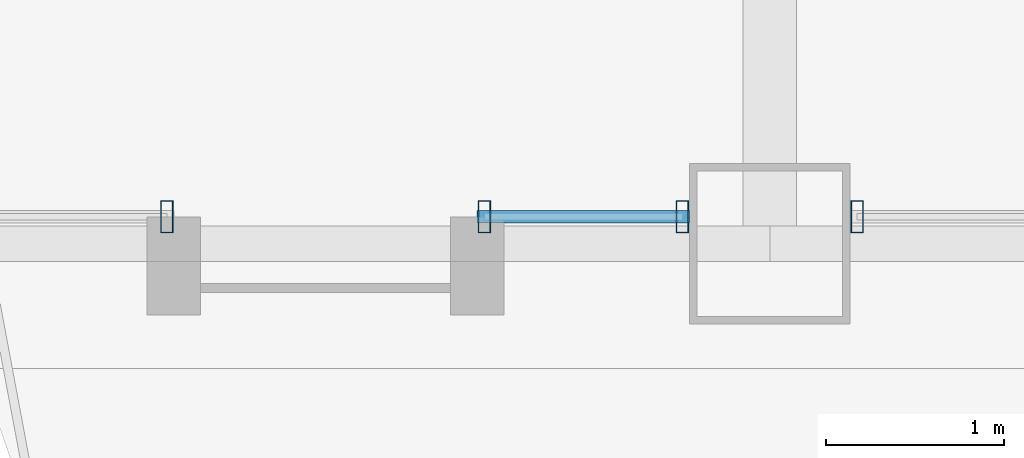
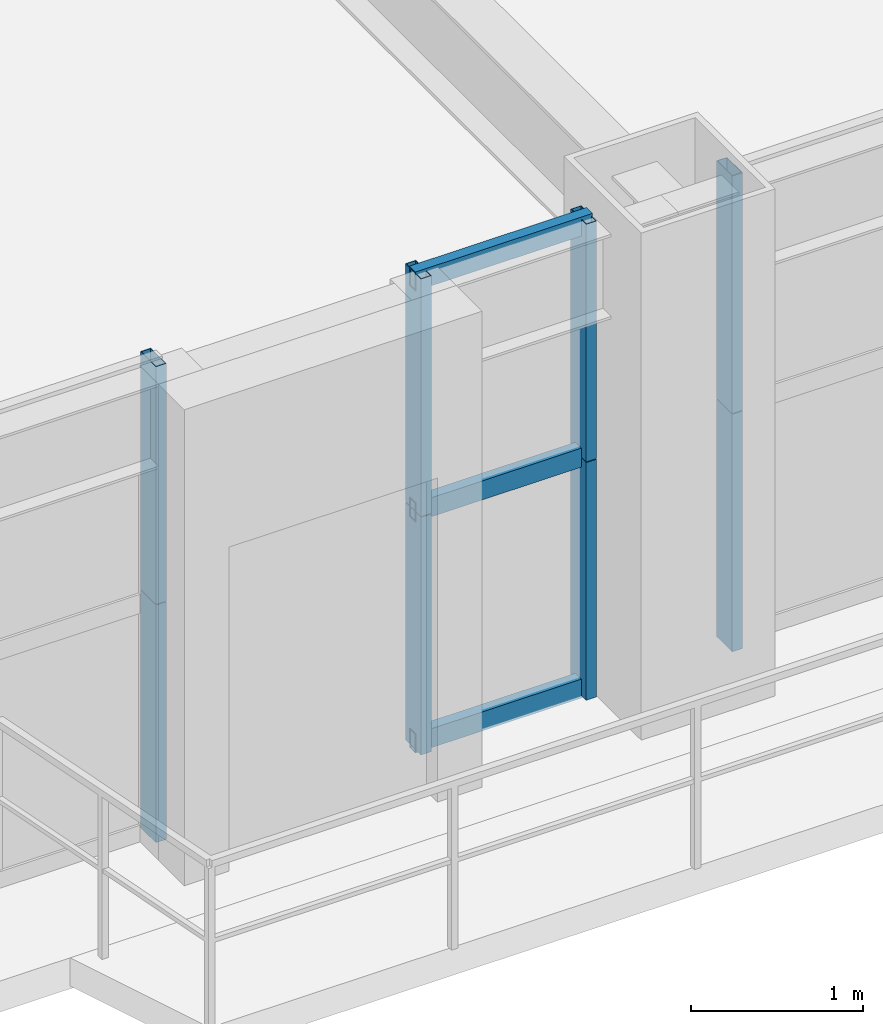
# One storey, part 8 of 43: 11 members, 3 elements without a shape of their own.
"""IFC4 building model written with IfcOpenShell, lengths in metres."""

from ifc_helpers import new_model, si_unit, direction, frame, origin, origin_2d, place, context, subcontext, project, spatial, hollow_rectangle, extrude, source, transform, mapped, material, layer, layer_set, material_profile, profile_set, type_object, element, aggregate, save


model = new_model("IFC4")

# Units and contexts
model_context = context("Model", 3, precision=1e-05, world=origin(), true_north=direction((0.0, 1.0)))
body_context = subcontext(model_context, "Body", "Model", "MODEL_VIEW")
ifc_project = project(units=[si_unit("LENGTHUNIT", "METRE"), si_unit("AREAUNIT", "SQUARE_METRE"), si_unit("VOLUMEUNIT", "CUBIC_METRE"), si_unit("PLANEANGLEUNIT", "RADIAN"), si_unit("MASSUNIT", "GRAM", prefix="KILO"), si_unit("THERMODYNAMICTEMPERATUREUNIT", "KELVIN"), si_unit("POWERUNIT", "WATT")], contexts=[model_context])

# Site, building, storey
site_placement = place(None, origin())
site = spatial("IfcSite", under=ifc_project, at=site_placement, CompositionType="ELEMENT")
building_placement = place(site_placement, origin())
building = spatial("IfcBuilding", under=site, at=building_placement, Name="Yuzanri Waterfront Tower", CompositionType="ELEMENT")
storey_placement = place(building_placement, frame((0.0, 0.0, 108.199951171875)))
storey = spatial("IfcBuildingStorey", under=building, at=storey_placement, Name="L28", CompositionType="ELEMENT", Elevation=108.199951171875)

# Curtain wall, members
ifc_material_1 = material(Name="Anodized Architectural Bronze", Category="metal")
ifc_layer = layer(ifc_material_1, 0.159912109375)
ifc_layer_set = layer_set([ifc_layer], Name="Anodized Architectural Bronze")
curtain_wall_type = type_object("IfcCurtainWallType", Name="Anodized Bronze Hotel Upper-Tier Solar-Control Unitized Curtain Wall 7800", PredefinedType="NOTDEFINED", material=ifc_layer_set)
curtain_wall_1_placement = place(storey_placement, origin())
curtain_wall_1 = element("IfcCurtainWall", 1, at=curtain_wall_1_placement, inside=storey, type_object=curtain_wall_type, Name="L28 Curtain Wall CW-L28-SL1", PredefinedType="NOTDEFINED")
ifc_material_2 = material(Name="Anodized Architectural Bronze", Category="metal")
ifc_material_profile_1 = material_profile(ifc_material_2, hollow_rectangle(XDim=0.070068359375, YDim=0.179931640625, WallThickness=0.00390625, at=origin_2d()), Name="CWM 70x180")
ifc_profile_set_1 = profile_set([ifc_material_profile_1], Name="Anodized Architectural Bronze")
member_type_1 = type_object("IfcMemberType", Name="Anodized Bronze Standard Curtain-Wall Mullion 70x180", PredefinedType="MULLION", material=ifc_profile_set_1)
shared_shape_1 = source(origin(), body_context, "Body", "SweptSolid", [
    extrude(hollow_rectangle(XDim=0.070068359375, YDim=0.179931640625, WallThickness=0.00390625, at=origin_2d()), origin(), (0.0, 0.0, 1.0), 1.68798828125),
])
member_1_placement = place(storey_placement, frame((33.6201171875, 2.35009765625, 0.0), z_axis=(0.0, 0.0, 1.0), x_axis=(1.0, 0.0, 0.0)))
member_1 = element("IfcMember", 2, at=member_1_placement, type_object=member_type_1, Name="CW-L28-SL1 Lower Mullion 02", PredefinedType="MULLION", context=body_context, shape_type="MappedRepresentation", body=[
    mapped(shared_shape_1, transform((0.0, 0.0, 0.0), scale=1.0)),
])
member_2_placement = place(storey_placement, frame((33.6201171875, 2.35009765625, 1.692138671875), z_axis=(0.0, 0.0, 1.0), x_axis=(1.0, 0.0, 0.0)))
member_2 = element("IfcMember", 3, at=member_2_placement, type_object=member_type_1, Name="CW-L28-SL1 Upper Mullion 02", PredefinedType="MULLION", context=body_context, shape_type="MappedRepresentation", body=[
    mapped(shared_shape_1, transform((0.0, 0.0, 0.0), scale=1.0)),
])
aggregate(curtain_wall_1, [member_1, member_2])

curtain_wall_2_placement = place(storey_placement, origin())
curtain_wall_2 = element("IfcCurtainWall", 4, at=curtain_wall_2_placement, inside=storey, type_object=curtain_wall_type, Name="L28 Curtain Wall CW-L28-SL2", PredefinedType="NOTDEFINED")
member_3_placement = place(storey_placement, frame((35.39990234375, 2.35009765625, 0.0), z_axis=(0.0, 0.0, 1.0), x_axis=(1.0, 0.0, 0.0)))
member_3 = element("IfcMember", 5, at=member_3_placement, type_object=member_type_1, Name="CW-L28-SL2 Lower Mullion 00", PredefinedType="MULLION", context=body_context, shape_type="MappedRepresentation", body=[
    mapped(shared_shape_1, transform((0.0, 0.0, 0.0), scale=1.0)),
])
member_4_placement = place(storey_placement, frame((35.39990234375, 2.35009765625, 1.692138671875), z_axis=(0.0, 0.0, 1.0), x_axis=(1.0, 0.0, 0.0)))
member_4 = element("IfcMember", 6, at=member_4_placement, type_object=member_type_1, Name="CW-L28-SL2 Upper Mullion 00", PredefinedType="MULLION", context=body_context, shape_type="MappedRepresentation", body=[
    mapped(shared_shape_1, transform((0.0, 0.0, 0.0), scale=1.0)),
])
member_5_placement = place(storey_placement, frame((36.510009765625, 2.35009765625, 0.0), z_axis=(0.0, 0.0, 1.0), x_axis=(1.0, 0.0, 0.0)))
member_5 = element("IfcMember", 7, at=member_5_placement, type_object=member_type_1, Name="CW-L28-SL2 Lower Mullion 01", PredefinedType="MULLION", context=body_context, shape_type="MappedRepresentation", body=[
    mapped(shared_shape_1, transform((0.0, 0.0, 0.0), scale=1.0)),
])
member_6_placement = place(storey_placement, frame((36.510009765625, 2.35009765625, 1.692138671875), z_axis=(0.0, 0.0, 1.0), x_axis=(1.0, 0.0, 0.0)))
member_6 = element("IfcMember", 8, at=member_6_placement, type_object=member_type_1, Name="CW-L28-SL2 Upper Mullion 01", PredefinedType="MULLION", context=body_context, shape_type="MappedRepresentation", body=[
    mapped(shared_shape_1, transform((0.0, 0.0, 0.0), scale=1.0)),
])

curtain_wall_3_placement = place(storey_placement, origin())
curtain_wall_3 = element("IfcCurtainWall", 9, at=curtain_wall_3_placement, inside=storey, type_object=curtain_wall_type, Name="L28 Curtain Wall CW-L28-SR", PredefinedType="NOTDEFINED")
member_7_placement = place(storey_placement, frame((37.489990234375, 2.35009765625, 0.0), z_axis=(0.0, 0.0, 1.0), x_axis=(1.0, 0.0, 0.0)))
member_7 = element("IfcMember", 10, at=member_7_placement, type_object=member_type_1, Name="CW-L28-SR Lower Mullion 00", PredefinedType="MULLION", context=body_context, shape_type="MappedRepresentation", body=[
    mapped(shared_shape_1, transform((0.0, 0.0, 0.0), scale=1.0)),
])
member_8_placement = place(storey_placement, frame((37.489990234375, 2.35009765625, 1.692138671875), z_axis=(0.0, 0.0, 1.0), x_axis=(1.0, 0.0, 0.0)))
member_8 = element("IfcMember", 11, at=member_8_placement, type_object=member_type_1, Name="CW-L28-SR Upper Mullion 00", PredefinedType="MULLION", context=body_context, shape_type="MappedRepresentation", body=[
    mapped(shared_shape_1, transform((0.0, 0.0, 0.0), scale=1.0)),
])
aggregate(curtain_wall_3, [member_7, member_8])

# Member
ifc_material_3 = material(Name="Anodized Architectural Bronze", Category="metal")
ifc_material_profile_2 = material_profile(ifc_material_3, hollow_rectangle(XDim=0.070068359375, YDim=0.135009765625, WallThickness=0.00341796875, at=origin_2d()), Name="CWT 70x135")
ifc_profile_set_2 = profile_set([ifc_material_profile_2], Name="Anodized Architectural Bronze")
member_type_2 = type_object("IfcMemberType", Name="Anodized Bronze Standard Curtain-Wall Transom 70x135", PredefinedType="USERDEFINED", material=ifc_profile_set_2)
shared_shape_2 = source(origin(), body_context, "Body", "SweptSolid", [
    extrude(hollow_rectangle(XDim=0.070068359375, YDim=0.135009765625, WallThickness=0.00341796875, at=origin_2d()), origin(), (0.0, 0.0, 1.0), 1.18994140625),
])
member_9_placement = place(storey_placement, frame((35.360107421875, 2.35009765625, 0.050048828125), z_axis=(1.0, 0.0, 0.0), x_axis=(0.0, 1.0, 0.0)))
member_9 = element("IfcMember", 12, at=member_9_placement, type_object=member_type_2, Name="CW-L28-SL2 Transom 1", ObjectType="TRANSOM", PredefinedType="USERDEFINED", context=body_context, shape_type="MappedRepresentation", body=[
    mapped(shared_shape_2, transform((0.0, 0.0, 0.0), scale=1.0)),
])

member_10_placement = place(storey_placement, frame((35.360107421875, 2.35009765625, 1.68994140625), z_axis=(1.0, 0.0, 0.0), x_axis=(0.0, 1.0, 0.0)))
member_10 = element("IfcMember", 13, at=member_10_placement, type_object=member_type_2, Name="CW-L28-SL2 Transom 2", ObjectType="TRANSOM", PredefinedType="USERDEFINED", context=body_context, shape_type="MappedRepresentation", body=[
    mapped(shared_shape_2, transform((0.0, 0.0, 0.0), scale=1.0)),
])

member_11_placement = place(storey_placement, frame((35.360107421875, 2.35009765625, 3.330078125), z_axis=(1.0, 0.0, 0.0), x_axis=(0.0, 1.0, 0.0)))
member_11 = element("IfcMember", 14, at=member_11_placement, type_object=member_type_2, Name="CW-L28-SL2 Transom 3", ObjectType="TRANSOM", PredefinedType="USERDEFINED", context=body_context, shape_type="MappedRepresentation", body=[
    mapped(shared_shape_2, transform((0.0, 0.0, 0.0), scale=1.0)),
])

aggregate(curtain_wall_2, [member_3, member_4, member_5, member_6, member_9, member_10, member_11])

save(model, "model.ifc")
